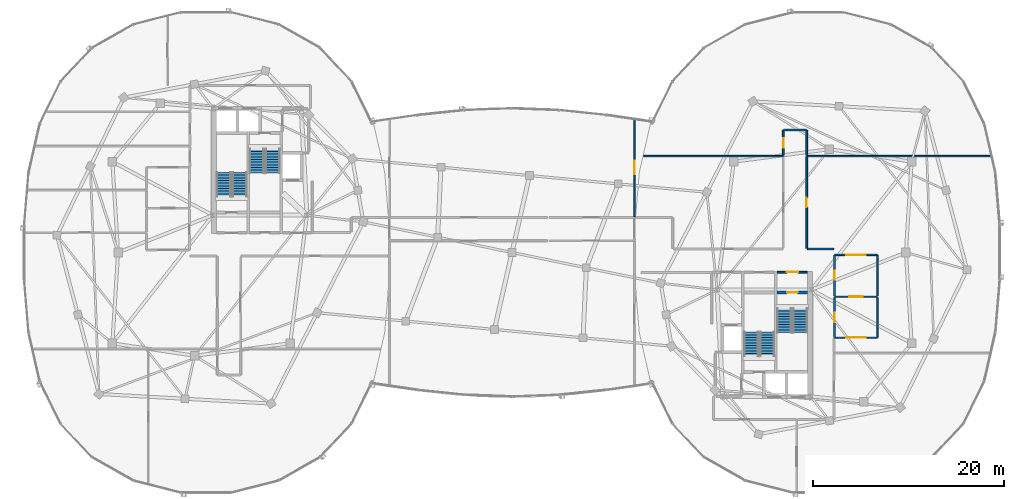
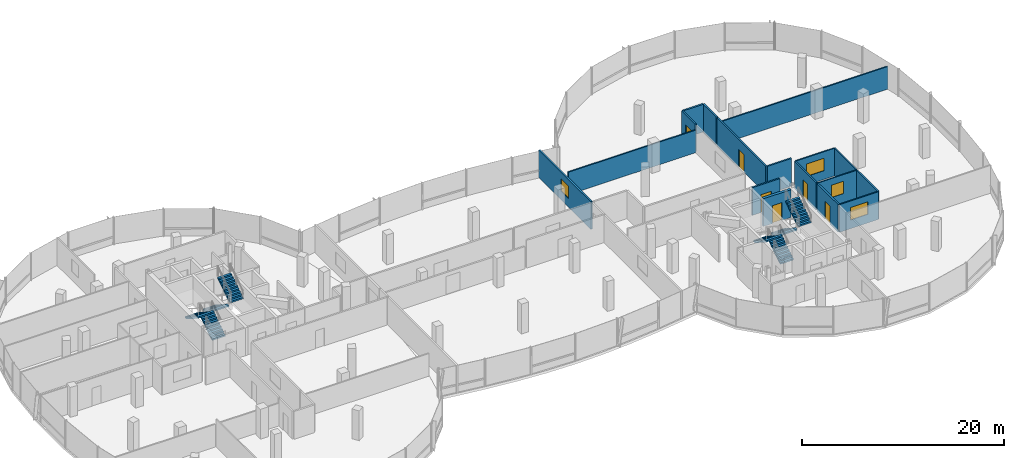
# One storey, part 17 of 25: 17 walls, 8 stair flights, 6 doors, 4 windows, 10 openings, 4 elements without a shape of their own.
"""IFC4 building model written with IfcOpenShell, lengths in metres."""

from ifc_helpers import new_model, si_unit, direction, frame, frame_2d, origin, place, context, subcontext, project, spatial, polyline, rectangle, outline, extrude, material, layer, layer_set, type_object, element, fill, aggregate, save


model = new_model("IFC4")

# Units and contexts
model_context = context("Model", 3, precision=1e-05, world=origin(), true_north=direction((0.0, 1.0)))
body_context = subcontext(model_context, "Body", "Model", "MODEL_VIEW")
ifc_project = project(units=[si_unit("LENGTHUNIT", "METRE"), si_unit("AREAUNIT", "SQUARE_METRE"), si_unit("VOLUMEUNIT", "CUBIC_METRE"), si_unit("PLANEANGLEUNIT", "RADIAN"), si_unit("MASSUNIT", "GRAM", prefix="KILO"), si_unit("THERMODYNAMICTEMPERATUREUNIT", "KELVIN"), si_unit("POWERUNIT", "WATT")], contexts=[model_context])

# Site, building, storey
site_placement = place(None, origin())
site = spatial("IfcSite", under=ifc_project, at=site_placement, CompositionType="ELEMENT")
building_placement = place(site_placement, origin())
building = spatial("IfcBuilding", under=site, at=building_placement, Name="Cundina Bronze Exchange", CompositionType="ELEMENT")
storey_placement = place(building_placement, frame((0.0, 0.0, 257.60009765625)))
storey = spatial("IfcBuildingStorey", under=building, at=storey_placement, Name="L68", CompositionType="ELEMENT", Elevation=257.60009765625)

# Wall, opening, door
ifc_material_1 = material(Name="Gypsum Fireboard Partition EI120")
ifc_layer_1 = layer(ifc_material_1, 0.179931640625, Name="Gypsum Fireboard Partition EI120")
ifc_layer_set_1 = layer_set([ifc_layer_1], Name="Gypsum Fireboard Partition EI120")
wall_type_1 = type_object("IfcWallType", Name="WL-COR-180", PredefinedType="PARTITIONING", material=ifc_layer_set_1)
wall_1_placement = place(storey_placement, frame((27.739990234375, -2.06005859375, 0.0), z_axis=(0.0, 0.0, 1.0), x_axis=(1.0, 0.0, 0.0)))
wall_1 = element("IfcWall", 1, at=wall_1_placement, inside=storey, type_object=wall_type_1, Name="L68 E Stair Vestibule Exit Wall", PredefinedType="PARTITIONING", context=body_context, shape_type="SweptSolid", body=[
    extrude(rectangle(XDim=3.159912109375, YDim=0.179931640625, at=frame_2d((1.580078125, 0.0))), origin(), (0.0, 0.0, 1.0), 3.33984375),
])
opening_1_placement = place(wall_1_placement, frame((0.97998046875, 0.0, 0.0)))
opening_1 = element("IfcOpeningElement", 2, at=opening_1_placement, cuts=wall_1, Name="Opening DF-01", PredefinedType="OPENING", context=body_context, shape_type="SweptSolid", body=[
    extrude(rectangle(XDim=1.199951171875, YDim=2.14990234375, at=frame_2d((0.60009765625, 1.074951171875))), frame((0.0, 0.099853515625, 0.0), z_axis=(0.0, -1.0, 0.0), x_axis=(1.0, 0.0, 0.0)), (0.0, 0.0, 1.0), 0.199951171875),
])
ifc_material_2 = material(Name="Steel ASTM A36 Painted", Category="steel")
door_type_1 = type_object("IfcDoorType", Name="DR-FFL-1200", OperationType="NOTDEFINED", PredefinedType="DOOR", material=ifc_material_2)
door_1_placement = place(opening_1_placement, origin())
door_1 = element("IfcDoor", 3, at=door_1_placement, inside=storey, type_object=door_type_1, Name="L68 E Stair Vestibule Door", OperationType="SINGLE_SWING_RIGHT", OverallHeight=2.14990234375, OverallWidth=1.199951171875, PredefinedType="DOOR", context=body_context, shape_type="SweptSolid", body=[
    extrude(rectangle(XDim=1.199951171875, YDim=2.14990234375, at=frame_2d((0.60009765625, 1.074951171875))), frame((0.0, 0.02490234375, 0.0), z_axis=(0.0, -1.0, 0.0), x_axis=(1.0, 0.0, 0.0)), (0.0, 0.0, 1.0), 0.050048828125),
])
fill(opening_1, door_1)

wall_2_placement = place(storey_placement, frame((33.719970703125, -4.530029296875, 0.0), z_axis=(0.0, 0.0, 1.0), x_axis=(0.0, 1.0, 0.0)))
wall_2 = element("IfcWall", 4, at=wall_2_placement, inside=storey, type_object=wall_type_1, Name="L68 Interior Partition 049", PredefinedType="PARTITIONING", context=body_context, shape_type="SweptSolid", body=[
    extrude(rectangle(XDim=4.260009765625, YDim=0.179931640625, at=frame_2d((2.1298828125, 0.0))), origin(), (0.0, 0.0, 1.0), 3.33984375),
])
opening_2_placement = place(wall_2_placement, frame((1.655029296875, 0.0, 0.0)))
opening_2 = element("IfcOpeningElement", 5, at=opening_2_placement, cuts=wall_2, Name="Opening DW-01", PredefinedType="OPENING", context=body_context, shape_type="SweptSolid", body=[
    extrude(rectangle(XDim=0.949951171875, YDim=2.10009765625, at=frame_2d((0.47509765625, 1.050048828125))), frame((0.0, 0.099853515625, 0.0), z_axis=(0.0, -1.0, 0.0), x_axis=(1.0, 0.0, 0.0)), (0.0, 0.0, 1.0), 0.199951171875),
])
ifc_material_3 = material(Name="Solid Andean Oak Timber Grade A", Category="wood")
door_type_2 = type_object("IfcDoorType", Name="DR-WC-950", OperationType="NOTDEFINED", PredefinedType="DOOR", material=ifc_material_3)
door_2_placement = place(opening_2_placement, origin())
door_2 = element("IfcDoor", 6, at=door_2_placement, inside=storey, type_object=door_type_2, Name="L68 Interior Door 049", OperationType="SINGLE_SWING_RIGHT", OverallHeight=2.10009765625, OverallWidth=0.949951171875, PredefinedType="DOOR", context=body_context, shape_type="SweptSolid", body=[
    extrude(rectangle(XDim=0.949951171875, YDim=2.10009765625, at=frame_2d((0.47509765625, 1.050048828125))), frame((0.0, 0.02490234375, 0.0), z_axis=(0.0, -1.0, 0.0), x_axis=(1.0, 0.0, 0.0)), (0.0, 0.0, 1.0), 0.050048828125),
])
fill(opening_2, door_2)

wall_3_placement = place(storey_placement, frame((33.719970703125, -8.889892578125, 0.0), z_axis=(0.0, 0.0, 1.0), x_axis=(0.0, 1.0, 0.0)))
wall_3 = element("IfcWall", 7, at=wall_3_placement, inside=storey, type_object=wall_type_1, Name="L68 Interior Partition 050", PredefinedType="PARTITIONING", context=body_context, shape_type="SweptSolid", body=[
    extrude(rectangle(XDim=4.159912109375, YDim=0.179931640625, at=frame_2d((2.080078125, 0.0))), origin(), (0.0, 0.0, 1.0), 3.33984375),
])
opening_3_placement = place(wall_3_placement, frame((1.580078125, 0.0, 0.0)))
opening_3 = element("IfcOpeningElement", 8, at=opening_3_placement, cuts=wall_3, Name="Opening DO-01", PredefinedType="OPENING", context=body_context, shape_type="SweptSolid", body=[
    extrude(rectangle(XDim=1.0, YDim=2.14990234375, at=frame_2d((0.5, 1.074951171875))), frame((0.0, 0.099853515625, 0.0), z_axis=(0.0, -1.0, 0.0), x_axis=(1.0, 0.0, 0.0)), (0.0, 0.0, 1.0), 0.199951171875),
])
door_type_3 = type_object("IfcDoorType", Name="DR-OFF-1000", OperationType="NOTDEFINED", PredefinedType="DOOR", material=ifc_material_3)
door_3_placement = place(opening_3_placement, origin())
door_3 = element("IfcDoor", 9, at=door_3_placement, inside=storey, type_object=door_type_3, Name="L68 Interior Door 050", OperationType="SINGLE_SWING_RIGHT", OverallHeight=2.14990234375, OverallWidth=1.0, PredefinedType="DOOR", context=body_context, shape_type="SweptSolid", body=[
    extrude(rectangle(XDim=1.0, YDim=2.14990234375, at=frame_2d((0.5, 1.074951171875))), frame((0.0, 0.02490234375, 0.0), z_axis=(0.0, -1.0, 0.0), x_axis=(1.0, 0.0, 0.0)), (0.0, 0.0, 1.0), 0.050048828125),
])
fill(opening_3, door_3)

wall_4_placement = place(storey_placement, frame((30.820068359375, 0.449951171875, 0.0), z_axis=(0.0, 0.0, 1.0), x_axis=(0.0, 1.0, 0.0)))
wall_4 = element("IfcWall", 10, at=wall_4_placement, inside=storey, type_object=wall_type_1, Name="L68 Interior Partition 060", PredefinedType="PARTITIONING", context=body_context, shape_type="SweptSolid", body=[
    extrude(rectangle(XDim=9.5400390625, YDim=0.179931640625, at=frame_2d((4.77001953125, 0.0))), origin(), (0.0, 0.0, 1.0), 3.33984375),
])
opening_4_placement = place(wall_4_placement, frame((4.27001953125, 0.0, 0.0)))
opening_4 = element("IfcOpeningElement", 11, at=opening_4_placement, cuts=wall_4, Name="Opening DO-01", PredefinedType="OPENING", context=body_context, shape_type="SweptSolid", body=[
    extrude(rectangle(XDim=1.0, YDim=2.14990234375, at=frame_2d((0.5, 1.074951171875))), frame((0.0, 0.099853515625, 0.0), z_axis=(0.0, -1.0, 0.0), x_axis=(1.0, 0.0, 0.0)), (0.0, 0.0, 1.0), 0.199951171875),
])
door_4_placement = place(opening_4_placement, origin())
door_4 = element("IfcDoor", 12, at=door_4_placement, inside=storey, type_object=door_type_3, Name="L68 Interior Door 060", OperationType="SINGLE_SWING_RIGHT", OverallHeight=2.14990234375, OverallWidth=1.0, PredefinedType="DOOR", context=body_context, shape_type="SweptSolid", body=[
    extrude(rectangle(XDim=1.0, YDim=2.14990234375, at=frame_2d((0.5, 1.074951171875))), frame((0.0, 0.02490234375, 0.0), z_axis=(0.0, -1.0, 0.0), x_axis=(1.0, 0.0, 0.0)), (0.0, 0.0, 1.0), 0.050048828125),
])
fill(opening_4, door_4)

# Wall
wall_5_placement = place(storey_placement, frame((33.62841796875, 0.3701171875, 0.0), z_axis=(0.0, 0.0, 1.0), x_axis=(-1.0, 0.0, 0.0)))
element("IfcWall", 13, at=wall_5_placement, inside=storey, type_object=wall_type_1, Name="L68 Interior Partition 061", PredefinedType="PARTITIONING", context=body_context, shape_type="SweptSolid", body=[
    extrude(rectangle(XDim=2.728515625, YDim=0.179931640625, at=frame_2d((1.3642578125, 0.0))), origin(), (0.0, 0.0, 1.0), 3.33984375),
])

# Wall, opening, door
wall_6_placement = place(storey_placement, frame((28.3798828125, 12.778564453125, 0.0), z_axis=(0.0, 0.0, 1.0), x_axis=(0.0, -1.0, 0.0)))
wall_6 = element("IfcWall", 14, at=wall_6_placement, inside=storey, type_object=wall_type_1, Name="L68 Interior Partition 067", PredefinedType="PARTITIONING", context=body_context, shape_type="SweptSolid", body=[
    extrude(rectangle(XDim=2.608642578125, YDim=0.179931640625, at=frame_2d((1.30419921875, 0.0))), origin(), (0.0, 0.0, 1.0), 3.33984375),
])
opening_5_placement = place(wall_6_placement, frame((0.80419921875, 0.0, 0.0)))
opening_5 = element("IfcOpeningElement", 15, at=opening_5_placement, cuts=wall_6, Name="Opening DO-01", PredefinedType="OPENING", context=body_context, shape_type="SweptSolid", body=[
    extrude(rectangle(XDim=1.0, YDim=2.14990234375, at=frame_2d((0.5, 1.074951171875))), frame((0.0, 0.099853515625, 0.0), z_axis=(0.0, -1.0, 0.0), x_axis=(1.0, 0.0, 0.0)), (0.0, 0.0, 1.0), 0.199951171875),
])
door_5_placement = place(opening_5_placement, origin())
door_5 = element("IfcDoor", 16, at=door_5_placement, inside=storey, type_object=door_type_3, Name="L68 Interior Door 067", OperationType="SINGLE_SWING_LEFT", OverallHeight=2.14990234375, OverallWidth=1.0, PredefinedType="DOOR", context=body_context, shape_type="SweptSolid", body=[
    extrude(rectangle(XDim=1.0, YDim=2.14990234375, at=frame_2d((0.5, 1.074951171875))), frame((0.0, 0.02490234375, 0.0), z_axis=(0.0, -1.0, 0.0), x_axis=(1.0, 0.0, 0.0)), (0.0, 0.0, 1.0), 0.050048828125),
])
fill(opening_5, door_5)

# Walls
wall_7_placement = place(storey_placement, frame((30.820068359375, 10.169921875, 0.0), z_axis=(0.0, 0.0, 1.0), x_axis=(0.0, 1.0, 0.0)))
element("IfcWall", 17, at=wall_7_placement, inside=storey, type_object=wall_type_1, Name="L68 Interior Partition 068", PredefinedType="PARTITIONING", context=body_context, shape_type="SweptSolid", body=[
    extrude(rectangle(XDim=2.608642578125, YDim=0.179931640625, at=frame_2d((1.30419921875, 0.0))), origin(), (0.0, 0.0, 1.0), 3.33984375),
])
wall_8_placement = place(storey_placement, frame((30.778564453125, 12.820068359375, 0.0), z_axis=(0.0, 0.0, 1.0), x_axis=(-1.0, 0.0, 0.0)))
element("IfcWall", 18, at=wall_8_placement, inside=storey, type_object=wall_type_1, Name="L68 Interior Partition 069", PredefinedType="PARTITIONING", context=body_context, shape_type="SweptSolid", body=[
    extrude(rectangle(XDim=2.357177734375, YDim=0.179931640625, at=frame_2d((1.1787109375, 0.0))), origin(), (0.0, 0.0, 1.0), 3.33984375),
])

# Wall, opening, window
wall_9_placement = place(storey_placement, frame((12.800048828125, 3.739990234375, 0.0), z_axis=(0.0, 0.0, 1.0), x_axis=(0.0, 1.0, 0.0)))
wall_9 = element("IfcWall", 19, at=wall_9_placement, inside=storey, type_object=wall_type_1, Name="L68 Interior Partition 079", PredefinedType="PARTITIONING", context=body_context, shape_type="SweptSolid", body=[
    extrude(rectangle(XDim=10.3037109375, YDim=0.179931640625, at=frame_2d((5.15185546875, 0.0))), origin(), (0.0, 0.0, 1.0), 3.33984375),
])
opening_6_placement = place(wall_9_placement, frame((4.451904296875, 0.0, 1.050048828125)))
opening_6 = element("IfcOpeningElement", 20, at=opening_6_placement, cuts=wall_9, Name="Opening WI-02", PredefinedType="OPENING", context=body_context, shape_type="SweptSolid", body=[
    extrude(rectangle(XDim=1.39990234375, YDim=1.5, at=frame_2d((0.699951171875, 0.75))), frame((0.0, 0.099853515625, 0.0), z_axis=(0.0, -1.0, 0.0), x_axis=(1.0, 0.0, 0.0)), (0.0, 0.0, 1.0), 0.199951171875),
])
ifc_material_4 = material(Name="Clear Low-E Insulating Glass 26mm", Category="glass")
window_type_1 = type_object("IfcWindowType", Name="WN-INT-1400", PartitioningType="SINGLE_PANEL", PredefinedType="WINDOW", material=ifc_material_4)
window_1_placement = place(opening_6_placement, origin())
window_1 = element("IfcWindow", 21, at=window_1_placement, inside=storey, type_object=window_type_1, Name="L68 Interior Acoustic Vision Window 079", OverallHeight=1.5, OverallWidth=1.39990234375, PartitioningType="SINGLE_PANEL", PredefinedType="WINDOW", context=body_context, shape_type="SweptSolid", body=[
    extrude(rectangle(XDim=1.39990234375, YDim=1.5, at=frame_2d((0.699951171875, 0.75))), frame((0.0, 0.030029296875, 0.0), z_axis=(0.0, -1.0, 0.0), x_axis=(1.0, 0.0, 0.0)), (0.0, 0.0, 1.0), 0.06005859375),
])
fill(opening_6, window_1)

# Wall, opening, door
ifc_material_5 = material(Name="Concrete C50/60", Category="concrete")
ifc_layer_2 = layer(ifc_material_5, 0.300048828125, Name="Concrete C50/60", Category="concrete")
ifc_layer_set_2 = layer_set([ifc_layer_2], Name="Concrete C50/60")
wall_type_2 = type_object("IfcWallType", Name="WL-SHFT-300", PredefinedType="SHEAR", material=ifc_layer_set_2)
wall_10_placement = place(storey_placement, frame((27.739990234375, -4.199951171875, 0.0), z_axis=(0.0, 0.0, 1.0), x_axis=(1.0, 0.0, 0.0)))
wall_10 = element("IfcWall", 22, at=wall_10_placement, inside=storey, type_object=wall_type_2, Name="L68 Stair E1 Landing Wall", PredefinedType="SHEAR", context=body_context, shape_type="SweptSolid", body=[
    extrude(rectangle(XDim=3.159912109375, YDim=0.300048828125, at=frame_2d((1.580078125, 0.0))), origin(), (0.0, 0.0, 1.0), 3.33984375),
])
opening_7_placement = place(wall_10_placement, frame((1.030029296875, 0.0, 0.0)))
opening_7 = element("IfcOpeningElement", 23, at=opening_7_placement, cuts=wall_10, Name="Opening DS-01", PredefinedType="OPENING", context=body_context, shape_type="SweptSolid", body=[
    extrude(rectangle(XDim=1.10009765625, YDim=2.14990234375, at=frame_2d((0.550048828125, 1.074951171875))), frame((0.0, 0.159912109375, 0.0), z_axis=(0.0, -1.0, 0.0), x_axis=(1.0, 0.0, 0.0)), (0.0, 0.0, 1.0), 0.320068359375),
])
door_type_4 = type_object("IfcDoorType", Name="DR-STR-1100", OperationType="NOTDEFINED", PredefinedType="DOOR", material=ifc_material_2)
door_6_placement = place(opening_7_placement, origin())
door_6 = element("IfcDoor", 24, at=door_6_placement, inside=storey, type_object=door_type_4, Name="L68 Smokeproof Stair E1 Door", OperationType="SINGLE_SWING_LEFT", OverallHeight=2.14990234375, OverallWidth=1.10009765625, PredefinedType="DOOR", context=body_context, shape_type="SweptSolid", body=[
    extrude(rectangle(XDim=1.10009765625, YDim=2.14990234375, at=frame_2d((0.550048828125, 1.074951171875))), frame((0.0, 0.02490234375, 0.0), z_axis=(0.0, -1.0, 0.0), x_axis=(1.0, 0.0, 0.0)), (0.0, 0.0, 1.0), 0.050048828125),
])
fill(opening_7, door_6)

# Walls
ifc_material_6 = material(Name="Gypsum Acoustic Partition EI60")
ifc_layer_3 = layer(ifc_material_6, 0.14990234375, Name="Gypsum Acoustic Partition EI60")
ifc_layer_set_3 = layer_set([ifc_layer_3], Name="Gypsum Acoustic Partition EI60")
wall_type_3 = type_object("IfcWallType", Name="WL-TEN-150", PredefinedType="PARTITIONING", material=ifc_layer_set_3)
wall_11_placement = place(storey_placement, frame((13.755126953125, 10.080078125, 0.0), z_axis=(0.0, 0.0, 1.0), x_axis=(1.0, 0.0, 0.0)))
element("IfcWall", 25, at=wall_11_placement, inside=storey, type_object=wall_type_3, Name="L68 Interior Partition 051", PredefinedType="PARTITIONING", context=body_context, shape_type="SweptSolid", body=[
    extrude(rectangle(XDim=14.594970703125, YDim=0.14990234375, at=frame_2d((7.29736328125, 0.0))), origin(), (0.0, 0.0, 1.0), 2.723876953125),
])
wall_12_placement = place(storey_placement, frame((30.85009765625, 10.080078125, 0.0), z_axis=(0.0, 0.0, 1.0), x_axis=(1.0, 0.0, 0.0)))
element("IfcWall", 26, at=wall_12_placement, inside=storey, type_object=wall_type_3, Name="L68 Interior Partition 052", PredefinedType="PARTITIONING", context=body_context, shape_type="SweptSolid", body=[
    extrude(rectangle(XDim=19.394775390625, YDim=0.14990234375, at=frame_2d((9.697265625, 0.0))), origin(), (0.0, 0.0, 1.0), 2.723876953125),
])
ifc_material_7 = material(Name="Moisture-Resistant Masonry Block Grade M15", Category="masonry")
ifc_layer_4 = layer(ifc_material_7, 0.139892578125, Name="Moisture-Resistant Masonry Block Grade M15", Category="masonry")
ifc_layer_set_4 = layer_set([ifc_layer_4], Name="Moisture-Resistant Masonry Block Grade M15")
wall_type_4 = type_object("IfcWallType", Name="WL-WET-140", PredefinedType="PARTITIONING", material=ifc_layer_set_4)
wall_13_placement = place(storey_placement, frame((38.239990234375, -8.889892578125, 0.0), z_axis=(0.0, 0.0, 1.0), x_axis=(0.0, 1.0, 0.0)))
element("IfcWall", 27, at=wall_13_placement, inside=storey, type_object=wall_type_4, Name="L68 Interior Partition 044", PredefinedType="PARTITIONING", context=body_context, shape_type="SweptSolid", body=[
    extrude(rectangle(XDim=4.1748046875, YDim=0.139892578125, at=frame_2d((2.08740234375, 0.0))), origin(), (0.0, 0.0, 1.0), 3.33984375),
])
wall_14_placement = place(storey_placement, frame((38.239990234375, -4.544921875, 0.0), z_axis=(0.0, 0.0, 1.0), x_axis=(0.0, 1.0, 0.0)))
element("IfcWall", 28, at=wall_14_placement, inside=storey, type_object=wall_type_4, Name="L68 Interior Partition 045", PredefinedType="PARTITIONING", context=body_context, shape_type="SweptSolid", body=[
    extrude(rectangle(XDim=4.27490234375, YDim=0.139892578125, at=frame_2d((2.137451171875, 0.0))), origin(), (0.0, 0.0, 1.0), 3.33984375),
])

# Wall, opening, window
wall_15_placement = place(storey_placement, frame((33.739990234375, -0.25, 0.0), z_axis=(0.0, 0.0, 1.0), x_axis=(1.0, 0.0, 0.0)))
wall_15 = element("IfcWall", 29, at=wall_15_placement, inside=storey, type_object=wall_type_4, Name="L68 Interior Partition 046", PredefinedType="PARTITIONING", context=body_context, shape_type="SweptSolid", body=[
    extrude(rectangle(XDim=4.47998046875, YDim=0.139892578125, at=frame_2d((2.239990234375, 0.0))), origin(), (0.0, 0.0, 1.0), 3.33984375),
])
opening_8_placement = place(wall_15_placement, frame((1.239990234375, 0.0, 1.050048828125)))
opening_8 = element("IfcOpeningElement", 30, at=opening_8_placement, cuts=wall_15, Name="Opening WI-01", PredefinedType="OPENING", context=body_context, shape_type="SweptSolid", body=[
    extrude(rectangle(XDim=2.0, YDim=1.5, at=frame_2d((1.0, 0.75))), frame((0.0, 0.079833984375, 0.0), z_axis=(0.0, -1.0, 0.0), x_axis=(1.0, 0.0, 0.0)), (0.0, 0.0, 1.0), 0.159912109375),
])
window_type_2 = type_object("IfcWindowType", Name="WN-INT-2000", PartitioningType="SINGLE_PANEL", PredefinedType="WINDOW", material=ifc_material_4)
window_2_placement = place(opening_8_placement, origin())
window_2 = element("IfcWindow", 31, at=window_2_placement, inside=storey, type_object=window_type_2, Name="L68 Interior Acoustic Vision Window 046", OverallHeight=1.5, OverallWidth=2.0, PartitioningType="SINGLE_PANEL", PredefinedType="WINDOW", context=body_context, shape_type="SweptSolid", body=[
    extrude(rectangle(XDim=2.0, YDim=1.5, at=frame_2d((1.0, 0.75))), frame((0.0, 0.030029296875, 0.0), z_axis=(0.0, -1.0, 0.0), x_axis=(1.0, 0.0, 0.0)), (0.0, 0.0, 1.0), 0.06005859375),
])
fill(opening_8, window_2)

wall_16_placement = place(storey_placement, frame((33.739990234375, -4.6298828125, 0.0), z_axis=(0.0, 0.0, 1.0), x_axis=(1.0, 0.0, 0.0)))
wall_16 = element("IfcWall", 32, at=wall_16_placement, inside=storey, type_object=wall_type_4, Name="L68 Interior Partition 047", PredefinedType="PARTITIONING", context=body_context, shape_type="SweptSolid", body=[
    extrude(rectangle(XDim=4.47998046875, YDim=0.139892578125, at=frame_2d((2.239990234375, 0.0))), origin(), (0.0, 0.0, 1.0), 3.33984375),
])
opening_9_placement = place(wall_16_placement, frame((1.5400390625, 0.0, 1.050048828125)))
opening_9 = element("IfcOpeningElement", 33, at=opening_9_placement, cuts=wall_16, Name="Opening WI-02", PredefinedType="OPENING", context=body_context, shape_type="SweptSolid", body=[
    extrude(rectangle(XDim=1.39990234375, YDim=1.5, at=frame_2d((0.699951171875, 0.75))), frame((0.0, 0.079833984375, 0.0), z_axis=(0.0, -1.0, 0.0), x_axis=(1.0, 0.0, 0.0)), (0.0, 0.0, 1.0), 0.159912109375),
])
window_3_placement = place(opening_9_placement, origin())
window_3 = element("IfcWindow", 34, at=window_3_placement, inside=storey, type_object=window_type_1, Name="L68 Interior Acoustic Vision Window 047", OverallHeight=1.5, OverallWidth=1.39990234375, PartitioningType="SINGLE_PANEL", PredefinedType="WINDOW", context=body_context, shape_type="SweptSolid", body=[
    extrude(rectangle(XDim=1.39990234375, YDim=1.5, at=frame_2d((0.699951171875, 0.75))), frame((0.0, 0.030029296875, 0.0), z_axis=(0.0, -1.0, 0.0), x_axis=(1.0, 0.0, 0.0)), (0.0, 0.0, 1.0), 0.06005859375),
])
fill(opening_9, window_3)

wall_17_placement = place(storey_placement, frame((33.739990234375, -8.909912109375, 0.0), z_axis=(0.0, 0.0, 1.0), x_axis=(1.0, 0.0, 0.0)))
wall_17 = element("IfcWall", 35, at=wall_17_placement, inside=storey, type_object=wall_type_4, Name="L68 Interior Partition 048", PredefinedType="PARTITIONING", context=body_context, shape_type="SweptSolid", body=[
    extrude(rectangle(XDim=4.47998046875, YDim=0.139892578125, at=frame_2d((2.239990234375, 0.0))), origin(), (0.0, 0.0, 1.0), 3.33984375),
])
opening_10_placement = place(wall_17_placement, frame((1.239990234375, 0.0, 1.050048828125)))
opening_10 = element("IfcOpeningElement", 36, at=opening_10_placement, cuts=wall_17, Name="Opening WI-01", PredefinedType="OPENING", context=body_context, shape_type="SweptSolid", body=[
    extrude(rectangle(XDim=2.0, YDim=1.5, at=frame_2d((1.0, 0.75))), frame((0.0, 0.079833984375, 0.0), z_axis=(0.0, -1.0, 0.0), x_axis=(1.0, 0.0, 0.0)), (0.0, 0.0, 1.0), 0.159912109375),
])
window_4_placement = place(opening_10_placement, origin())
window_4 = element("IfcWindow", 37, at=window_4_placement, inside=storey, type_object=window_type_2, Name="L68 Interior Acoustic Vision Window 048", OverallHeight=1.5, OverallWidth=2.0, PartitioningType="SINGLE_PANEL", PredefinedType="WINDOW", context=body_context, shape_type="SweptSolid", body=[
    extrude(rectangle(XDim=2.0, YDim=1.5, at=frame_2d((1.0, 0.75))), frame((0.0, 0.030029296875, 0.0), z_axis=(0.0, -1.0, 0.0), x_axis=(1.0, 0.0, 0.0)), (0.0, 0.0, 1.0), 0.06005859375),
])
fill(opening_10, window_4)

# Stair, stair flights
ifc_material_8 = material(Name="Concrete C40/50", Category="concrete")
stair_type = type_object("IfcStairType", Name="STR-OFF-360", PredefinedType="HALF_TURN_STAIR", material=ifc_material_8)
stair_1_placement = place(storey_placement, origin())
stair_1 = element("IfcStair", 38, at=stair_1_placement, inside=storey, type_object=stair_type, Name="L68 Smokeproof Exit Stair W1", PredefinedType="HALF_TURN_STAIR")
stair_flight_type = type_object("IfcStairFlightType", Name="FLG-OFF-180", PredefinedType="STRAIGHT", material=ifc_material_8)
stair_flight_1_placement = place(storey_placement, frame((-28.489990234375, 5.85009765625, 0.0), z_axis=(0.0, 0.0, 1.0), x_axis=(0.0, 1.0, 0.0)))
stair_flight_1 = element("IfcStairFlight", 39, at=stair_flight_1_placement, type_object=stair_flight_type, Name="ST-W1 flight 1", NumberOfRisers=10, NumberOfTreads=9, PredefinedType="STRAIGHT", RiserHeight=0.18, TreadLength=0.28, context=body_context, shape_type="SweptSolid", body=[
    extrude(outline(polyline([(0.0, 0.0), (0.0, 0.179931640625), (0.280029296875, 0.179931640625), (0.280029296875, 0.360107421875), (0.56005859375, 0.360107421875), (0.56005859375, 0.5400390625), (0.840087890625, 0.5400390625), (0.840087890625, 0.719970703125), (1.1201171875, 0.719970703125), (1.1201171875, 0.89990234375), (1.39990234375, 0.89990234375), (1.39990234375, 1.080078125), (1.679931640625, 1.080078125), (1.679931640625, 1.260009765625), (1.9599609375, 1.260009765625), (1.9599609375, 1.43994140625), (2.239990234375, 1.43994140625), (2.239990234375, 1.6201171875), (2.52001953125, 1.6201171875), (2.52001953125, 1.800048828125), (2.52001953125, 1.44189453125), (0.277099609375, 0.0), (0.0, 0.0)])), frame((0.0, 0.75, 0.0), z_axis=(0.0, -1.0, 0.0), x_axis=(1.0, 0.0, 0.0)), (0.0, 0.0, 1.0), 1.5),
])
stair_flight_2_placement = place(storey_placement, frame((-30.14990234375, 8.3701171875, 1.7998046875), z_axis=(0.0, 0.0, 1.0), x_axis=(0.0, -1.0, 0.0)))
stair_flight_2 = element("IfcStairFlight", 40, at=stair_flight_2_placement, type_object=stair_flight_type, Name="ST-W1 flight 2", NumberOfRisers=10, NumberOfTreads=9, PredefinedType="STRAIGHT", RiserHeight=0.18, TreadLength=0.28, context=body_context, shape_type="SweptSolid", body=[
    extrude(outline(polyline([(0.0, 0.0), (0.0, 0.179931640625), (0.280029296875, 0.179931640625), (0.280029296875, 0.360107421875), (0.56005859375, 0.360107421875), (0.56005859375, 0.5400390625), (0.840087890625, 0.5400390625), (0.840087890625, 0.719970703125), (1.1201171875, 0.719970703125), (1.1201171875, 0.89990234375), (1.39990234375, 0.89990234375), (1.39990234375, 1.080078125), (1.679931640625, 1.080078125), (1.679931640625, 1.260009765625), (1.9599609375, 1.260009765625), (1.9599609375, 1.43994140625), (2.239990234375, 1.43994140625), (2.239990234375, 1.6201171875), (2.52001953125, 1.6201171875), (2.52001953125, 1.800048828125), (2.52001953125, 1.44189453125), (0.277099609375, 0.0), (0.0, 0.0)])), frame((0.0, 0.75, 0.0), z_axis=(0.0, -1.0, 0.0), x_axis=(1.0, 0.0, 0.0)), (0.0, 0.0, 1.0), 1.5),
])
aggregate(stair_1, [stair_flight_1, stair_flight_2])

stair_2_placement = place(storey_placement, origin())
stair_2 = element("IfcStair", 41, at=stair_2_placement, inside=storey, type_object=stair_type, Name="L68 Smokeproof Exit Stair W2", PredefinedType="HALF_TURN_STAIR")
stair_flight_3_placement = place(storey_placement, frame((-26.68994140625, 10.85009765625, 0.0), z_axis=(0.0, 0.0, 1.0), x_axis=(0.0, -1.0, 0.0)))
stair_flight_3 = element("IfcStairFlight", 42, at=stair_flight_3_placement, type_object=stair_flight_type, Name="ST-W2 flight 1", NumberOfRisers=10, NumberOfTreads=9, PredefinedType="STRAIGHT", RiserHeight=0.18, TreadLength=0.28, context=body_context, shape_type="SweptSolid", body=[
    extrude(outline(polyline([(0.0, 0.0), (0.0, 0.179931640625), (0.280029296875, 0.179931640625), (0.280029296875, 0.360107421875), (0.56005859375, 0.360107421875), (0.56005859375, 0.5400390625), (0.840087890625, 0.5400390625), (0.840087890625, 0.719970703125), (1.1201171875, 0.719970703125), (1.1201171875, 0.89990234375), (1.39990234375, 0.89990234375), (1.39990234375, 1.080078125), (1.679931640625, 1.080078125), (1.679931640625, 1.260009765625), (1.9599609375, 1.260009765625), (1.9599609375, 1.43994140625), (2.239990234375, 1.43994140625), (2.239990234375, 1.6201171875), (2.52001953125, 1.6201171875), (2.52001953125, 1.800048828125), (2.52001953125, 1.44189453125), (0.277099609375, 0.0), (0.0, 0.0)])), frame((0.0, 0.75, 0.0), z_axis=(0.0, -1.0, 0.0), x_axis=(1.0, 0.0, 0.0)), (0.0, 0.0, 1.0), 1.5),
])
stair_flight_4_placement = place(storey_placement, frame((-25.030029296875, 8.330078125, 1.7998046875), z_axis=(0.0, 0.0, 1.0), x_axis=(0.0, 1.0, 0.0)))
stair_flight_4 = element("IfcStairFlight", 43, at=stair_flight_4_placement, type_object=stair_flight_type, Name="ST-W2 flight 2", NumberOfRisers=10, NumberOfTreads=9, PredefinedType="STRAIGHT", RiserHeight=0.18, TreadLength=0.28, context=body_context, shape_type="SweptSolid", body=[
    extrude(outline(polyline([(0.0, 0.0), (0.0, 0.179931640625), (0.280029296875, 0.179931640625), (0.280029296875, 0.360107421875), (0.56005859375, 0.360107421875), (0.56005859375, 0.5400390625), (0.840087890625, 0.5400390625), (0.840087890625, 0.719970703125), (1.1201171875, 0.719970703125), (1.1201171875, 0.89990234375), (1.39990234375, 0.89990234375), (1.39990234375, 1.080078125), (1.679931640625, 1.080078125), (1.679931640625, 1.260009765625), (1.9599609375, 1.260009765625), (1.9599609375, 1.43994140625), (2.239990234375, 1.43994140625), (2.239990234375, 1.6201171875), (2.52001953125, 1.6201171875), (2.52001953125, 1.800048828125), (2.52001953125, 1.44189453125), (0.277099609375, 0.0), (0.0, 0.0)])), frame((0.0, 0.75, 0.0), z_axis=(0.0, -1.0, 0.0), x_axis=(1.0, 0.0, 0.0)), (0.0, 0.0, 1.0), 1.5),
])
aggregate(stair_2, [stair_flight_3, stair_flight_4])

stair_3_placement = place(storey_placement, origin())
stair_3 = element("IfcStair", 44, at=stair_3_placement, inside=storey, type_object=stair_type, Name="L68 Smokeproof Exit Stair E1", PredefinedType="HALF_TURN_STAIR")
stair_flight_5_placement = place(storey_placement, frame((28.489990234375, -5.85009765625, 0.0), z_axis=(0.0, 0.0, 1.0), x_axis=(0.0, -1.0, 0.0)))
stair_flight_5 = element("IfcStairFlight", 45, at=stair_flight_5_placement, type_object=stair_flight_type, Name="ST-E1 flight 1", NumberOfRisers=10, NumberOfTreads=9, PredefinedType="STRAIGHT", RiserHeight=0.18, TreadLength=0.28, context=body_context, shape_type="SweptSolid", body=[
    extrude(outline(polyline([(0.0, 0.0), (0.0, 0.179931640625), (0.280029296875, 0.179931640625), (0.280029296875, 0.360107421875), (0.56005859375, 0.360107421875), (0.56005859375, 0.5400390625), (0.840087890625, 0.5400390625), (0.840087890625, 0.719970703125), (1.1201171875, 0.719970703125), (1.1201171875, 0.89990234375), (1.39990234375, 0.89990234375), (1.39990234375, 1.080078125), (1.679931640625, 1.080078125), (1.679931640625, 1.260009765625), (1.9599609375, 1.260009765625), (1.9599609375, 1.43994140625), (2.239990234375, 1.43994140625), (2.239990234375, 1.6201171875), (2.52001953125, 1.6201171875), (2.52001953125, 1.800048828125), (2.52001953125, 1.44189453125), (0.277099609375, 0.0), (0.0, 0.0)])), frame((0.0, 0.75, 0.0), z_axis=(0.0, -1.0, 0.0), x_axis=(1.0, 0.0, 0.0)), (0.0, 0.0, 1.0), 1.5),
])
stair_flight_6_placement = place(storey_placement, frame((30.14990234375, -8.3701171875, 1.7998046875), z_axis=(0.0, 0.0, 1.0), x_axis=(0.0, 1.0, 0.0)))
stair_flight_6 = element("IfcStairFlight", 46, at=stair_flight_6_placement, type_object=stair_flight_type, Name="ST-E1 flight 2", NumberOfRisers=10, NumberOfTreads=9, PredefinedType="STRAIGHT", RiserHeight=0.18, TreadLength=0.28, context=body_context, shape_type="SweptSolid", body=[
    extrude(outline(polyline([(0.0, 0.0), (0.0, 0.179931640625), (0.280029296875, 0.179931640625), (0.280029296875, 0.360107421875), (0.56005859375, 0.360107421875), (0.56005859375, 0.5400390625), (0.840087890625, 0.5400390625), (0.840087890625, 0.719970703125), (1.1201171875, 0.719970703125), (1.1201171875, 0.89990234375), (1.39990234375, 0.89990234375), (1.39990234375, 1.080078125), (1.679931640625, 1.080078125), (1.679931640625, 1.260009765625), (1.9599609375, 1.260009765625), (1.9599609375, 1.43994140625), (2.239990234375, 1.43994140625), (2.239990234375, 1.6201171875), (2.52001953125, 1.6201171875), (2.52001953125, 1.800048828125), (2.52001953125, 1.44189453125), (0.277099609375, 0.0), (0.0, 0.0)])), frame((0.0, 0.75, 0.0), z_axis=(0.0, -1.0, 0.0), x_axis=(1.0, 0.0, 0.0)), (0.0, 0.0, 1.0), 1.5),
])
aggregate(stair_3, [stair_flight_5, stair_flight_6])

stair_4_placement = place(storey_placement, origin())
stair_4 = element("IfcStair", 47, at=stair_4_placement, inside=storey, type_object=stair_type, Name="L68 Smokeproof Exit Stair E2", PredefinedType="HALF_TURN_STAIR")
stair_flight_7_placement = place(storey_placement, frame((26.68994140625, -10.85009765625, 0.0), z_axis=(0.0, 0.0, 1.0), x_axis=(0.0, 1.0, 0.0)))
stair_flight_7 = element("IfcStairFlight", 48, at=stair_flight_7_placement, type_object=stair_flight_type, Name="ST-E2 flight 1", NumberOfRisers=10, NumberOfTreads=9, PredefinedType="STRAIGHT", RiserHeight=0.18, TreadLength=0.28, context=body_context, shape_type="SweptSolid", body=[
    extrude(outline(polyline([(0.0, 0.0), (0.0, 0.179931640625), (0.280029296875, 0.179931640625), (0.280029296875, 0.360107421875), (0.56005859375, 0.360107421875), (0.56005859375, 0.5400390625), (0.840087890625, 0.5400390625), (0.840087890625, 0.719970703125), (1.1201171875, 0.719970703125), (1.1201171875, 0.89990234375), (1.39990234375, 0.89990234375), (1.39990234375, 1.080078125), (1.679931640625, 1.080078125), (1.679931640625, 1.260009765625), (1.9599609375, 1.260009765625), (1.9599609375, 1.43994140625), (2.239990234375, 1.43994140625), (2.239990234375, 1.6201171875), (2.52001953125, 1.6201171875), (2.52001953125, 1.800048828125), (2.52001953125, 1.44189453125), (0.277099609375, 0.0), (0.0, 0.0)])), frame((0.0, 0.75, 0.0), z_axis=(0.0, -1.0, 0.0), x_axis=(1.0, 0.0, 0.0)), (0.0, 0.0, 1.0), 1.5),
])
stair_flight_8_placement = place(storey_placement, frame((25.030029296875, -8.330078125, 1.7998046875), z_axis=(0.0, 0.0, 1.0), x_axis=(0.0, -1.0, 0.0)))
stair_flight_8 = element("IfcStairFlight", 49, at=stair_flight_8_placement, type_object=stair_flight_type, Name="ST-E2 flight 2", NumberOfRisers=10, NumberOfTreads=9, PredefinedType="STRAIGHT", RiserHeight=0.18, TreadLength=0.28, context=body_context, shape_type="SweptSolid", body=[
    extrude(outline(polyline([(0.0, 0.0), (0.0, 0.179931640625), (0.280029296875, 0.179931640625), (0.280029296875, 0.360107421875), (0.56005859375, 0.360107421875), (0.56005859375, 0.5400390625), (0.840087890625, 0.5400390625), (0.840087890625, 0.719970703125), (1.1201171875, 0.719970703125), (1.1201171875, 0.89990234375), (1.39990234375, 0.89990234375), (1.39990234375, 1.080078125), (1.679931640625, 1.080078125), (1.679931640625, 1.260009765625), (1.9599609375, 1.260009765625), (1.9599609375, 1.43994140625), (2.239990234375, 1.43994140625), (2.239990234375, 1.6201171875), (2.52001953125, 1.6201171875), (2.52001953125, 1.800048828125), (2.52001953125, 1.44189453125), (0.277099609375, 0.0), (0.0, 0.0)])), frame((0.0, 0.75, 0.0), z_axis=(0.0, -1.0, 0.0), x_axis=(1.0, 0.0, 0.0)), (0.0, 0.0, 1.0), 1.5),
])
aggregate(stair_4, [stair_flight_7, stair_flight_8])

save(model, "model.ifc")
